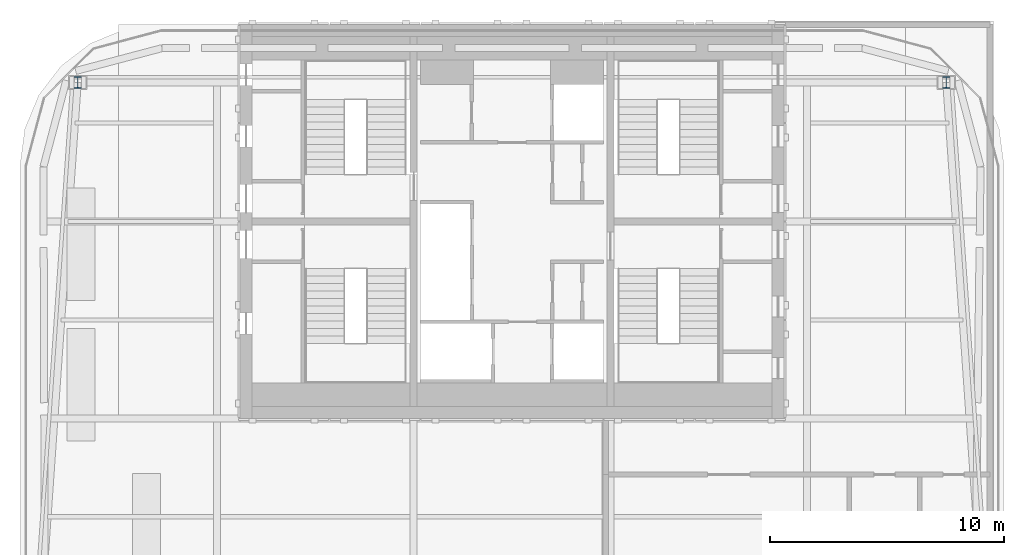
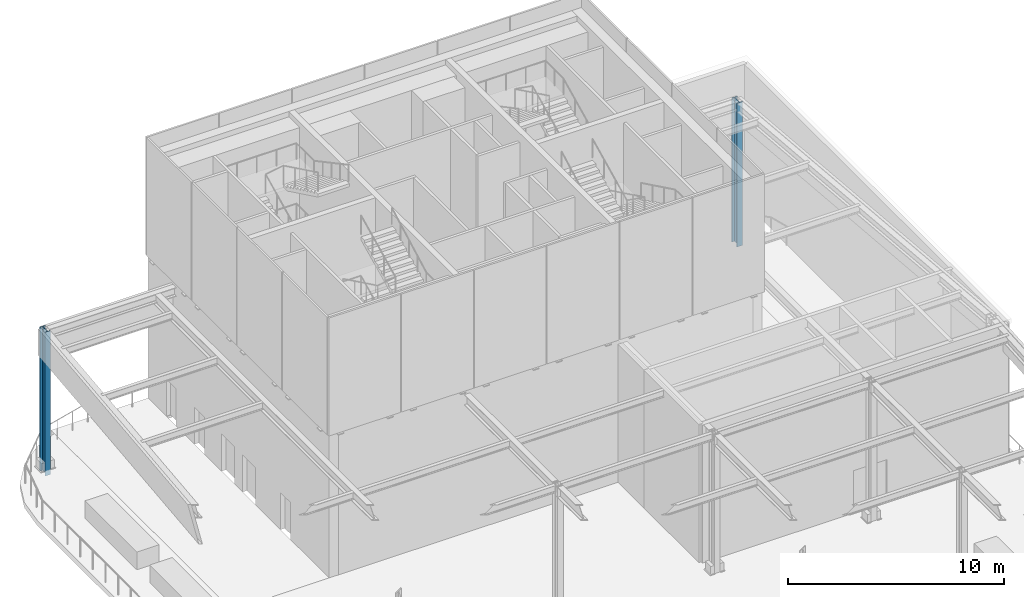
# One storey, part 2 of 14: 2 columns.
"""IFC4 building model written with IfcOpenShell, lengths in metres."""

import ifcopenshell
import ifcopenshell.guid

model = None  # the IFC model being written
_history = None  # IfcOwnerHistory: only IFC2X3 demands one
_inside = {}  # id of a spatial element -> (the spatial element, [elements in it])
_under = {}  # id of a project, library or spatial element -> (it, [spatial elements below it])
_declared = {}  # id of a project -> (the project, [libraries it declares])
_typed = {}  # id of a type object -> (the type object, [elements of that type])
_made_of = {}  # id of a material, layer set ... -> (it, [elements and type objects made of it])


def new_model(schema):
    """Start an empty IFC model of exactly this schema.

    Asked for "IFC4X3", IfcOpenShell would pick the latest addendum, in which some entities
    have other attributes; the version numbers below select the first issue.
    IFC2X3 requires an IfcOwnerHistory on every rooted entity: one is made here for all.
    """
    global model, _history
    if schema == "IFC4X3":
        model = ifcopenshell.file(schema_version=(4, 3, 0, 0))
    else:
        model = ifcopenshell.file(schema=schema)
    _inside.clear()
    _under.clear()
    _declared.clear()
    _typed.clear()
    _made_of.clear()
    _history = None
    if model.schema == "IFC2X3":
        org = make("IfcOrganization", Name="unknown")
        user = make(
            "IfcPersonAndOrganization",
            ThePerson=make("IfcPerson", FamilyName="unknown"),
            TheOrganization=org,
        )
        app = make(
            "IfcApplication",
            ApplicationDeveloper=org,
            Version="unknown",
            ApplicationFullName="unknown",
            ApplicationIdentifier="unknown",
        )
        _history = make(
            "IfcOwnerHistory",
            OwningUser=user,
            OwningApplication=app,
            ChangeAction="ADDED",
            CreationDate=0,
        )
    return model


def make(cls, **values):
    """One entity of the class cls with the attributes given. An attribute that is None is left unset."""
    return model.create_entity(
        cls, **{name: value for name, value in values.items() if value is not None}
    )


def rooted(cls, **values):
    """An entity with a GlobalId (a new one), such as an element, a storey or a relation."""
    return make(cls, GlobalId=ifcopenshell.guid.new(), OwnerHistory=_history, **values)


def si_unit(unit_type, name, prefix=None):
    """IfcSIUnit, for example si_unit("LENGTHUNIT", "METRE", prefix="MILLI")."""
    return make("IfcSIUnit", UnitType=unit_type, Prefix=prefix, Name=name)


def assignment(units):
    """IfcUnitAssignment: the units of a project."""
    return None if units is None else make("IfcUnitAssignment", Units=units)


def point(xyz):
    """IfcCartesianPoint."""
    return None if xyz is None else make("IfcCartesianPoint", Coordinates=xyz)


def direction(xyz):
    """IfcDirection."""
    return None if xyz is None else make("IfcDirection", DirectionRatios=xyz)


def frame(location, z_axis=None, x_axis=None):
    """IfcAxis2Placement3D, a coordinate frame: its origin and axes. An axis left out is left unset."""
    return make(
        "IfcAxis2Placement3D",
        Location=point(location),
        Axis=direction(z_axis),
        RefDirection=direction(x_axis),
    )


def frame_2d(location, x_axis=None):
    """IfcAxis2Placement2D, a coordinate frame in the plane: its origin and x axis."""
    return make(
        "IfcAxis2Placement2D", Location=point(location), RefDirection=direction(x_axis)
    )


def origin():
    """The frame at (0, 0, 0) with its axes left unset."""
    return frame((0.0, 0.0, 0.0))


def origin_2d():
    """The frame at (0, 0) in the plane with its x axis left unset."""
    return frame_2d((0.0, 0.0))


def place(relative_to, where):
    """IfcLocalPlacement: puts the frame where relative to a parent placement (None: the world)."""
    return make(
        "IfcLocalPlacement", PlacementRelTo=relative_to, RelativePlacement=where
    )


def context(
    kind, dimensions, precision=None, world=None, true_north=None, identifier=None
):
    """IfcGeometricRepresentationContext, for example the 3D "Model" context."""
    return make(
        "IfcGeometricRepresentationContext",
        ContextIdentifier=identifier,
        ContextType=kind,
        CoordinateSpaceDimension=dimensions,
        Precision=precision,
        WorldCoordinateSystem=world,
        TrueNorth=true_north,
    )


def subcontext(parent, identifier, kind, view, scale=None):
    """IfcGeometricRepresentationSubContext, for example "Body" below "Model"."""
    return make(
        "IfcGeometricRepresentationSubContext",
        ContextIdentifier=identifier,
        ContextType=kind,
        ParentContext=parent,
        TargetScale=scale,
        TargetView=view,
    )


def project(units=None, contexts=None):
    """IfcProject with its units and contexts."""
    return rooted(
        "IfcProject",
        Name="project",
        RepresentationContexts=contexts,
        UnitsInContext=assignment(units),
    )


def spatial(cls, under=None, at=None, **own):
    """A site, building, storey or space (cls), placed at a placement, below another one or the project."""
    s = rooted(cls, ObjectPlacement=at, **own)
    if under is not None:
        _under.setdefault(under.id(), (under, []))[1].append(s)
    return s


def profile(cls, at=None, kind="AREA", **sizes):
    """A parametric profile (cls). Its sizes go by their IFC names, for example OverallWidth=200.0."""
    return make(cls, ProfileType=kind, Position=at, **sizes)


def i_section(**sizes):
    """IfcIShapeProfileDef."""
    return profile("IfcIShapeProfileDef", **sizes)


def extrude(swept, where, along, depth):
    """IfcExtrudedAreaSolid: the profile swept, set in the frame where, extruded along a direction by depth."""
    return make(
        "IfcExtrudedAreaSolid",
        SweptArea=swept,
        Position=where,
        ExtrudedDirection=direction(along),
        Depth=depth,
    )


def shape(context_of_items, identifier, shape_type, items):
    """IfcShapeRepresentation: the items that make up one representation, for example the "Body"."""
    return make(
        "IfcShapeRepresentation",
        ContextOfItems=context_of_items,
        RepresentationIdentifier=identifier,
        RepresentationType=shape_type,
        Items=items,
    )


def material(Name=None, Category=None):
    """IfcMaterial."""
    return make("IfcMaterial", Name=Name, Category=Category)


def material_profile(
    of_material, cross_section, Name=None, Category=None, Priority=None
):
    """IfcMaterialProfile: a cross section and its material."""
    return make(
        "IfcMaterialProfile",
        Name=Name,
        Material=of_material,
        Profile=cross_section,
        Priority=Priority,
        Category=Category,
    )


def profile_set(profiles, Name=None, composite=None):
    """IfcMaterialProfileSet."""
    return make(
        "IfcMaterialProfileSet",
        Name=Name,
        MaterialProfiles=profiles,
        CompositeProfile=composite,
    )


def made_of(thing, what):
    """Note that an element or type object is made of a material, layer set ...; save() writes the relation."""
    if what is not None:
        _made_of.setdefault(what.id(), (what, []))[1].append(thing)
    return thing


def type_object(cls, material=None, **own):
    """A type object (cls), such as IfcWallType, which elements share."""
    return made_of(rooted(cls, **own), material)


def element(
    cls,
    number,
    at=None,
    inside=None,
    cuts=None,
    type_object=None,
    material=None,
    context=None,
    identifier="Body",
    shape_type=None,
    held_by="IfcProductDefinitionShape",
    body=None,
    shapes=None,
    **own,
):
    """One element of the class cls, such as IfcWall. Its Tag is "e" and its number.

    at: its placement. inside: the storey or other place that contains it. cuts: it is an
    opening in that element (IfcRelVoidsElement). A single representation is given by context,
    identifier, shape_type and body (its items); several are given by shapes. held_by: the class
    of the entity that holds the representations. save() writes the other relations.
    """
    e = rooted(cls, Tag="e%d" % number, ObjectPlacement=at, **own)
    if body is not None:
        shapes = [shape(context, identifier, shape_type, body)]
    if shapes is not None:
        e.Representation = make(held_by, Representations=shapes)
    if inside is not None:
        _inside.setdefault(inside.id(), (inside, []))[1].append(e)
    if cuts is not None:
        rooted(
            "IfcRelVoidsElement", RelatingBuildingElement=cuts, RelatedOpeningElement=e
        )
    if type_object is not None:
        _typed.setdefault(type_object.id(), (type_object, []))[1].append(e)
    return made_of(e, material)


def aggregate(whole, parts):
    """IfcRelAggregates: a whole, such as a stair, and the parts it consists of."""
    return rooted("IfcRelAggregates", RelatingObject=whole, RelatedObjects=parts)


def save(model, path):
    """Write the relations noted so far, then the file.

    IfcRelAggregates (storeys below a building ...), IfcRelContainedInSpatialStructure (elements
    in a storey), IfcRelDefinesByType, IfcRelAssociatesMaterial and IfcRelDeclares: one each for
    every whole, place, type object, material and project.
    """
    for whole, parts in _under.values():
        aggregate(whole, parts)
    for where, things in _inside.values():
        rooted(
            "IfcRelContainedInSpatialStructure",
            RelatedElements=things,
            RelatingStructure=where,
        )
    for kind, things in _typed.values():
        rooted("IfcRelDefinesByType", RelatedObjects=things, RelatingType=kind)
    for what, things in _made_of.values():
        rooted("IfcRelAssociatesMaterial", RelatedObjects=things, RelatingMaterial=what)
    for by, libraries in _declared.values():
        rooted("IfcRelDeclares", RelatingContext=by, RelatedDefinitions=libraries)
    model.write(path)


model = new_model("IFC4")

# Units and contexts
model_context = context("Model", 3, precision=1e-05, world=origin(), true_north=direction((0.0, 1.0)))
body_context = subcontext(model_context, "Body", "Model", "MODEL_VIEW")
ifc_project = project(units=[si_unit("LENGTHUNIT", "METRE"), si_unit("AREAUNIT", "SQUARE_METRE"), si_unit("VOLUMEUNIT", "CUBIC_METRE"), si_unit("PLANEANGLEUNIT", "RADIAN"), si_unit("MASSUNIT", "GRAM", prefix="KILO")], contexts=[model_context])

# Site, building, storey
site_placement = place(None, origin())
site = spatial("IfcSite", under=ifc_project, at=site_placement, CompositionType="ELEMENT")
building_placement = place(site_placement, origin())
building = spatial("IfcBuilding", under=site, at=building_placement, Name="Marenta Gate Hotel Tower", CompositionType="ELEMENT")
storey_placement = place(building_placement, frame((0.0, 0.0, 295.699951171875)))
storey = spatial("IfcBuildingStorey", under=building, at=storey_placement, Name="L67", CompositionType="ELEMENT", Elevation=295.699951171875)

# Columns
ifc_material = material(Name="Steel S355J2W", Category="steel")
ifc_material_profile = material_profile(ifc_material, i_section(OverallWidth=0.300048828125, OverallDepth=0.5, WebThickness=0.014404296875, FlangeThickness=0.028076171875, FilletRadius=0.027099609375, at=origin_2d()), Name="HEB 500")
ifc_profile_set = profile_set([ifc_material_profile], Name="Steel S355J2W")
column_type = type_object("IfcColumnType", Name="Canopy column HEB 500", PredefinedType="COLUMN", material=ifc_profile_set)
for number, where, z_axis, x_axis, name in (
    (1, (18.535400390625, 14.33544921875, -0.300048828125), (0.0, 0.0, 1.0), (1.0, 0.0, 0.0), "CC-HEB500 L67-CAN-CM-NE"),
    (2, (-18.535400390625, 14.33544921875, -0.300048828125), (0.0, 0.0, 1.0), (1.0, 0.0, 0.0), "CC-HEB500 L67-CAN-CM-NW"),
):
    element("IfcColumn", number, at=place(storey_placement, frame(where, z_axis=z_axis, x_axis=x_axis)), inside=storey, type_object=column_type, Name=name, PredefinedType="COLUMN", context=body_context, shape_type="SweptSolid", body=[
        extrude(i_section(OverallWidth=0.300048828125, OverallDepth=0.5, WebThickness=0.014404296875, FlangeThickness=0.028076171875, FilletRadius=0.027099609375, at=origin_2d()), origin(), (0.0, 0.0, 1.0), 8.150146484375),
    ])

save(model, "model.ifc")
